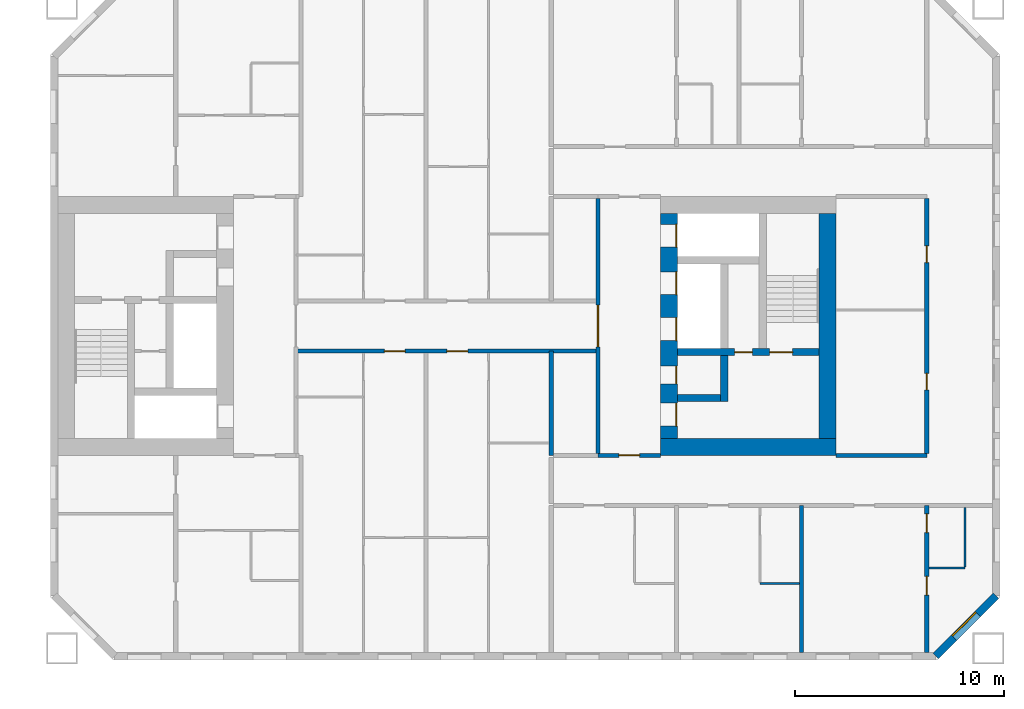
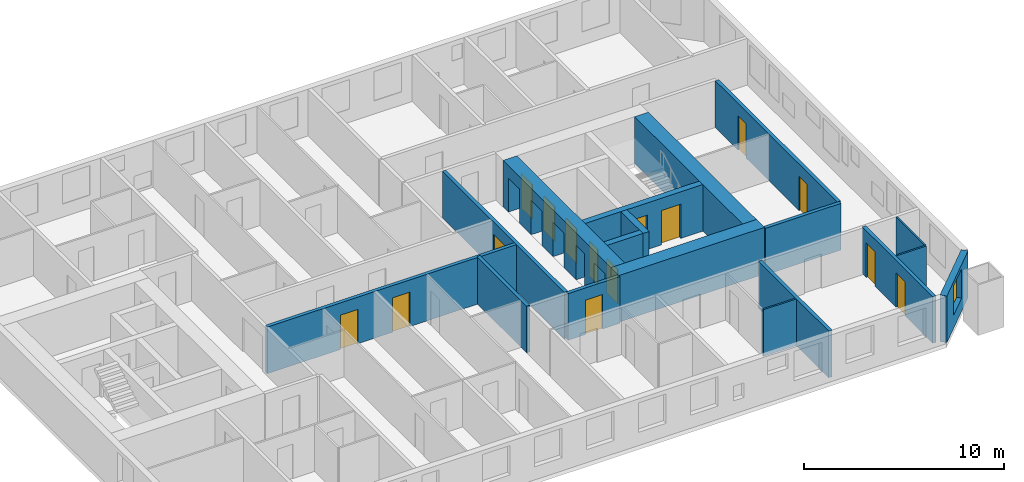
# One storey, part 12 of 17: 18 walls, 15 doors, 1 window, 16 openings.
"""IFC4 building model written with IfcOpenShell, lengths in metres."""

from ifc_helpers import new_model, si_unit, direction, frame, frame_2d, origin, place, context, subcontext, project, spatial, rectangle, extrude, material, layer, layer_set, type_object, element, fill, save


model = new_model("IFC4")

# Units and contexts
model_context = context("Model", 3, precision=1e-05, world=origin(), true_north=direction((0.0, 1.0)))
body_context = subcontext(model_context, "Body", "Model", "MODEL_VIEW")
ifc_project = project(units=[si_unit("LENGTHUNIT", "METRE"), si_unit("AREAUNIT", "SQUARE_METRE"), si_unit("VOLUMEUNIT", "CUBIC_METRE"), si_unit("PLANEANGLEUNIT", "RADIAN"), si_unit("MASSUNIT", "GRAM", prefix="KILO")], contexts=[model_context])

# Site, building, storey
site_placement = place(None, origin())
site = spatial("IfcSite", under=ifc_project, at=site_placement, CompositionType="ELEMENT")
building_placement = place(site_placement, origin())
building = spatial("IfcBuilding", under=site, at=building_placement, Name="Tuart Gate Housing", CompositionType="ELEMENT")
storey_placement = place(building_placement, frame((0.0, 0.0, 53.60009765625)))
storey = spatial("IfcBuildingStorey", under=building, at=storey_placement, Name="L14", CompositionType="ELEMENT", Elevation=53.60009765625)

# Wall, opening, window
ifc_material_1 = material(Name="Brick", Category="masonry")
ifc_layer_1 = layer(ifc_material_1, 0.360107421875)
ifc_layer_set_1 = layer_set([ifc_layer_1], Name="Brick pier and spandrel wall 360")
wall_type_1 = type_object("IfcWallType", Name="Brick pier and spandrel wall 360", PredefinedType="STANDARD", material=ifc_layer_set_1)
wall_1_placement = place(storey_placement, frame((173.42529296875, 54.179931640625, 0.0), z_axis=(0.0, 0.0, 1.0), x_axis=(0.707106781187, 0.707106781187, 0.0)))
wall_1 = element("IfcWall", 1, at=wall_1_placement, inside=storey, type_object=wall_type_1, Name="External wall B-SE L14", PredefinedType="STANDARD", context=body_context, shape_type="SweptSolid", body=[
    extrude(rectangle(XDim=4.09375, YDim=0.360107421875, at=frame_2d((2.046875, 0.0))), origin(), (0.0, 0.0, 1.0), 2.849853515625),
])
opening_1_placement = place(wall_1_placement, frame((1.2470703125, 0.0, 0.800048828125)))
opening_1 = element("IfcOpeningElement", 2, at=opening_1_placement, cuts=wall_1, Name="Opening W1", PredefinedType="OPENING", context=body_context, shape_type="SweptSolid", body=[
    extrude(rectangle(XDim=1.60009765625, YDim=1.800048828125, at=frame_2d((0.800048828125, 0.89990234375))), frame((0.0, 0.18994140625, 0.0), z_axis=(0.0, -1.0, 0.0), x_axis=(1.0, 0.0, 0.0)), (0.0, 0.0, 1.0), 0.380126953125),
])
ifc_material_2 = material(Name="Aluminium frame with clear glass", Category="aluminium")
window_type = type_object("IfcWindowType", Name="Punched window 1600 x 1800", PartitioningType="SINGLE_PANEL", PredefinedType="WINDOW", material=ifc_material_2)
window_placement = place(opening_1_placement, origin())
window = element("IfcWindow", 3, at=window_placement, inside=storey, type_object=window_type, Name="Window W1", OverallHeight=1.800048828125, OverallWidth=1.60009765625, PartitioningType="SINGLE_PANEL", PredefinedType="WINDOW", context=body_context, shape_type="SweptSolid", body=[
    extrude(rectangle(XDim=1.60009765625, YDim=1.800048828125, at=frame_2d((0.800048828125, 0.89990234375))), frame((0.0, 0.150146484375, 0.0), z_axis=(0.0, -1.0, 0.0), x_axis=(1.0, 0.0, 0.0)), (0.0, 0.0, 1.0), 0.06005859375),
])
fill(opening_1, window)

# Wall, openings, doors
ifc_material_3 = material(Name="Concrete C60", Category="concrete")
ifc_layer_2 = layer(ifc_material_3, 0.35009765625)
ifc_layer_set_2 = layer_set([ifc_layer_2], Name="Core wall 350 C60")
wall_type_2 = type_object("IfcWallType", Name="Core wall 350 C60", PredefinedType="SHEAR", material=ifc_layer_set_2)
wall_2_placement = place(storey_placement, frame((161.0400390625, 68.75, 0.0), z_axis=(0.0, 0.0, 1.0), x_axis=(1.0, 0.0, 0.0)))
wall_2 = element("IfcWall", 4, at=wall_2_placement, inside=storey, type_object=wall_type_2, Name="Core wall BK.2", PredefinedType="SHEAR", context=body_context, shape_type="SweptSolid", body=[
    extrude(rectangle(XDim=6.800048828125, YDim=0.35009765625, at=frame_2d((3.39990234375, 0.0))), origin(), (0.0, 0.0, 1.0), 2.849853515625),
])
opening_2_placement = place(wall_2_placement, frame((4.425048828125, 0.0, 0.0)))
opening_2 = element("IfcOpeningElement", 5, at=opening_2_placement, cuts=wall_2, Name="Opening D813", PredefinedType="OPENING", context=body_context, shape_type="SweptSolid", body=[
    extrude(rectangle(XDim=1.10009765625, YDim=2.10009765625, at=frame_2d((0.550048828125, 1.050048828125))), frame((0.0, 0.18505859375, 0.0), z_axis=(0.0, -1.0, 0.0), x_axis=(1.0, 0.0, 0.0)), (0.0, 0.0, 1.0), 0.3701171875),
])
opening_3_placement = place(wall_2_placement, frame((2.75, 0.0, 0.0)))
opening_3 = element("IfcOpeningElement", 6, at=opening_3_placement, cuts=wall_2, Name="Opening D812", PredefinedType="OPENING", context=body_context, shape_type="SweptSolid", body=[
    extrude(rectangle(XDim=0.85009765625, YDim=2.10009765625, at=frame_2d((0.425048828125, 1.050048828125))), frame((0.0, 0.18505859375, 0.0), z_axis=(0.0, -1.0, 0.0), x_axis=(1.0, 0.0, 0.0)), (0.0, 0.0, 1.0), 0.3701171875),
])
ifc_material_4 = material(Name="Steel fire door", Category="steel")
door_type_1 = type_object("IfcDoorType", Name="Riser door 850 x 2100", OperationType="SINGLE_SWING_LEFT", PredefinedType="DOOR", material=ifc_material_4)
door_1_placement = place(opening_3_placement, origin())
door_1 = element("IfcDoor", 7, at=door_1_placement, inside=storey, type_object=door_type_1, Name="Service room door BK.W1", OperationType="SINGLE_SWING_LEFT", OverallHeight=2.10009765625, OverallWidth=0.85009765625, PredefinedType="DOOR", context=body_context, shape_type="SweptSolid", body=[
    extrude(rectangle(XDim=0.85009765625, YDim=2.10009765625, at=frame_2d((0.425048828125, 1.050048828125))), frame((0.0, 0.02490234375, 0.0), z_axis=(0.0, -1.0, 0.0), x_axis=(1.0, 0.0, 0.0)), (0.0, 0.0, 1.0), 0.050048828125),
])
fill(opening_3, door_1)
ifc_material_5 = material(Name="Steel fire door", Category="steel")
door_type_2 = type_object("IfcDoorType", Name="Stair door 1100 x 2100", OperationType="SINGLE_SWING_LEFT", PredefinedType="DOOR", material=ifc_material_5)
door_2_placement = place(opening_2_placement, origin())
door_2 = element("IfcDoor", 8, at=door_2_placement, inside=storey, type_object=door_type_2, Name="Stair door BK.SD", OperationType="SINGLE_SWING_LEFT", OverallHeight=2.10009765625, OverallWidth=1.10009765625, PredefinedType="DOOR", context=body_context, shape_type="SweptSolid", body=[
    extrude(rectangle(XDim=1.10009765625, YDim=2.10009765625, at=frame_2d((0.550048828125, 1.050048828125))), frame((0.0, 0.02490234375, 0.0), z_axis=(0.0, -1.0, 0.0), x_axis=(1.0, 0.0, 0.0)), (0.0, 0.0, 1.0), 0.050048828125),
])
fill(opening_2, door_2)

# Walls
wall_3_placement = place(storey_placement, frame((161.0400390625, 66.550048828125, 0.0), z_axis=(0.0, 0.0, 1.0), x_axis=(1.0, 0.0, 0.0)))
element("IfcWall", 9, at=wall_3_placement, inside=storey, type_object=wall_type_2, Name="Core wall BK.3", PredefinedType="SHEAR", context=body_context, shape_type="SweptSolid", body=[
    extrude(rectangle(XDim=2.074951171875, YDim=0.35009765625, at=frame_2d((1.03759765625, 0.0))), origin(), (0.0, 0.0, 1.0), 2.849853515625),
])
wall_4_placement = place(storey_placement, frame((163.2900390625, 68.574951171875, 0.0), z_axis=(0.0, 0.0, 1.0), x_axis=(0.0, -1.0, 0.0)))
element("IfcWall", 10, at=wall_4_placement, inside=storey, type_object=wall_type_2, Name="Core wall BK.5", PredefinedType="SHEAR", context=body_context, shape_type="SweptSolid", body=[
    extrude(rectangle(XDim=2.199951171875, YDim=0.35009765625, at=frame_2d((1.10009765625, 0.0))), origin(), (0.0, 0.0, 1.0), 2.849853515625),
])

# Wall, openings, doors
ifc_material_6 = material(Name="Concrete C60", Category="concrete")
ifc_layer_3 = layer(ifc_material_6, 0.800048828125)
ifc_layer_set_3 = layer_set([ifc_layer_3], Name="Core wall 800 C60")
wall_type_3 = type_object("IfcWallType", Name="Core wall 800 C60", PredefinedType="SHEAR", material=ifc_layer_set_3)
wall_5_placement = place(storey_placement, frame((160.639892578125, 75.39990234375, 0.0), z_axis=(0.0, 0.0, 1.0), x_axis=(0.0, -1.0, 0.0)))
wall_5 = element("IfcWall", 11, at=wall_5_placement, inside=storey, type_object=wall_type_3, Name="Core wall BK front", PredefinedType="SHEAR", context=body_context, shape_type="SweptSolid", body=[
    extrude(rectangle(XDim=10.7998046875, YDim=0.800048828125, at=frame_2d((5.39990234375, 0.0))), origin(), (0.0, 0.0, 1.0), 2.849853515625),
])
opening_4_placement = place(wall_5_placement, frame((0.52490234375, 0.0, 0.0)))
opening_4 = element("IfcOpeningElement", 12, at=opening_4_placement, cuts=wall_5, Name="Opening LD-FB2", PredefinedType="OPENING", context=body_context, shape_type="SweptSolid", body=[
    extrude(rectangle(XDim=1.10009765625, YDim=2.10009765625, at=frame_2d((0.550048828125, 1.050048828125))), frame((0.0, 0.409912109375, 0.0), z_axis=(0.0, -1.0, 0.0), x_axis=(1.0, 0.0, 0.0)), (0.0, 0.0, 1.0), 0.820068359375),
])
opening_5_placement = place(wall_5_placement, frame((2.800048828125, 0.0, 0.0)))
opening_5 = element("IfcOpeningElement", 13, at=opening_5_placement, cuts=wall_5, Name="Opening LD-LB3", PredefinedType="OPENING", context=body_context, shape_type="SweptSolid", body=[
    extrude(rectangle(XDim=1.10009765625, YDim=2.10009765625, at=frame_2d((0.550048828125, 1.050048828125))), frame((0.0, 0.409912109375, 0.0), z_axis=(0.0, -1.0, 0.0), x_axis=(1.0, 0.0, 0.0)), (0.0, 0.0, 1.0), 0.820068359375),
])
opening_6_placement = place(wall_5_placement, frame((5.0, 0.0, 0.0)))
opening_6 = element("IfcOpeningElement", 14, at=opening_6_placement, cuts=wall_5, Name="Opening LD-LB4", PredefinedType="OPENING", context=body_context, shape_type="SweptSolid", body=[
    extrude(rectangle(XDim=1.10009765625, YDim=2.10009765625, at=frame_2d((0.550048828125, 1.050048828125))), frame((0.0, 0.409912109375, 0.0), z_axis=(0.0, -1.0, 0.0), x_axis=(1.0, 0.0, 0.0)), (0.0, 0.0, 1.0), 0.820068359375),
])
opening_7_placement = place(wall_5_placement, frame((9.10009765625, 0.0, 0.0)))
opening_7 = element("IfcOpeningElement", 15, at=opening_7_placement, cuts=wall_5, Name="Opening D805", PredefinedType="OPENING", context=body_context, shape_type="SweptSolid", body=[
    extrude(rectangle(XDim=1.10009765625, YDim=2.10009765625, at=frame_2d((0.550048828125, 1.050048828125))), frame((0.0, 0.409912109375, 0.0), z_axis=(0.0, -1.0, 0.0), x_axis=(1.0, 0.0, 0.0)), (0.0, 0.0, 1.0), 0.820068359375),
])
opening_8_placement = place(wall_5_placement, frame((7.324951171875, 0.0, 0.0)))
opening_8 = element("IfcOpeningElement", 16, at=opening_8_placement, cuts=wall_5, Name="Opening D806", PredefinedType="OPENING", context=body_context, shape_type="SweptSolid", body=[
    extrude(rectangle(XDim=0.85009765625, YDim=2.10009765625, at=frame_2d((0.425048828125, 1.050048828125))), frame((0.0, 0.409912109375, 0.0), z_axis=(0.0, -1.0, 0.0), x_axis=(1.0, 0.0, 0.0)), (0.0, 0.0, 1.0), 0.820068359375),
])
ifc_material_7 = material(Name="Stainless steel", Category="steel")
door_type_3 = type_object("IfcDoorType", Name="Landing door 1100 x 2100", OperationType="DOUBLE_DOOR_SLIDING", PredefinedType="DOOR", material=ifc_material_7)
door_3_placement = place(opening_4_placement, origin())
door_3 = element("IfcDoor", 17, at=door_3_placement, inside=storey, type_object=door_type_3, Name="Lift landing door FB2", OperationType="DOUBLE_DOOR_SLIDING", OverallHeight=2.10009765625, OverallWidth=1.10009765625, PredefinedType="DOOR", context=body_context, shape_type="SweptSolid", body=[
    extrude(rectangle(XDim=1.10009765625, YDim=2.10009765625, at=frame_2d((0.550048828125, 1.050048828125))), frame((0.0, 0.38525390625, 0.0), z_axis=(0.0, -1.0, 0.0), x_axis=(1.0, 0.0, 0.0)), (0.0, 0.0, 1.0), 0.050048828125),
])
fill(opening_4, door_3)
door_4_placement = place(opening_5_placement, origin())
door_4 = element("IfcDoor", 18, at=door_4_placement, inside=storey, type_object=door_type_3, Name="Lift landing door LB3", OperationType="DOUBLE_DOOR_SLIDING", OverallHeight=2.10009765625, OverallWidth=1.10009765625, PredefinedType="DOOR", context=body_context, shape_type="SweptSolid", body=[
    extrude(rectangle(XDim=1.10009765625, YDim=2.10009765625, at=frame_2d((0.550048828125, 1.050048828125))), frame((0.0, 0.38525390625, 0.0), z_axis=(0.0, -1.0, 0.0), x_axis=(1.0, 0.0, 0.0)), (0.0, 0.0, 1.0), 0.050048828125),
])
fill(opening_5, door_4)
door_5_placement = place(opening_6_placement, origin())
door_5 = element("IfcDoor", 19, at=door_5_placement, inside=storey, type_object=door_type_3, Name="Lift landing door LB4", OperationType="DOUBLE_DOOR_SLIDING", OverallHeight=2.10009765625, OverallWidth=1.10009765625, PredefinedType="DOOR", context=body_context, shape_type="SweptSolid", body=[
    extrude(rectangle(XDim=1.10009765625, YDim=2.10009765625, at=frame_2d((0.550048828125, 1.050048828125))), frame((0.0, 0.38525390625, 0.0), z_axis=(0.0, -1.0, 0.0), x_axis=(1.0, 0.0, 0.0)), (0.0, 0.0, 1.0), 0.050048828125),
])
fill(opening_6, door_5)
ifc_material_8 = material(Name="Steel fire door", Category="steel")
door_type_4 = type_object("IfcDoorType", Name="Lobby door 1100 x 2100", OperationType="SINGLE_SWING_LEFT", PredefinedType="DOOR", material=ifc_material_8)
door_6_placement = place(opening_7_placement, origin())
door_6 = element("IfcDoor", 20, at=door_6_placement, inside=storey, type_object=door_type_4, Name="Lobby entry door BK.EN", OperationType="SINGLE_SWING_LEFT", OverallHeight=2.10009765625, OverallWidth=1.10009765625, PredefinedType="DOOR", context=body_context, shape_type="SweptSolid", body=[
    extrude(rectangle(XDim=1.10009765625, YDim=2.10009765625, at=frame_2d((0.550048828125, 1.050048828125))), frame((0.0, 0.38525390625, 0.0), z_axis=(0.0, -1.0, 0.0), x_axis=(1.0, 0.0, 0.0)), (0.0, 0.0, 1.0), 0.050048828125),
])
fill(opening_7, door_6)
ifc_material_9 = material(Name="Steel fire door", Category="steel")
door_type_5 = type_object("IfcDoorType", Name="Service door 850 x 2100", OperationType="SINGLE_SWING_LEFT", PredefinedType="DOOR", material=ifc_material_9)
door_7_placement = place(opening_8_placement, origin())
door_7 = element("IfcDoor", 21, at=door_7_placement, inside=storey, type_object=door_type_5, Name="Service room door BK.T1", OperationType="SINGLE_SWING_LEFT", OverallHeight=2.10009765625, OverallWidth=0.85009765625, PredefinedType="DOOR", context=body_context, shape_type="SweptSolid", body=[
    extrude(rectangle(XDim=0.85009765625, YDim=2.10009765625, at=frame_2d((0.425048828125, 1.050048828125))), frame((0.0, 0.38525390625, 0.0), z_axis=(0.0, -1.0, 0.0), x_axis=(1.0, 0.0, 0.0)), (0.0, 0.0, 1.0), 0.050048828125),
])
fill(opening_8, door_7)

# Walls
wall_6_placement = place(storey_placement, frame((168.239990234375, 75.39990234375, 0.0), z_axis=(0.0, 0.0, 1.0), x_axis=(0.0, -1.0, 0.0)))
element("IfcWall", 22, at=wall_6_placement, inside=storey, type_object=wall_type_3, Name="Core wall BK back", PredefinedType="SHEAR", context=body_context, shape_type="SweptSolid", body=[
    extrude(rectangle(XDim=10.7998046875, YDim=0.800048828125, at=frame_2d((5.39990234375, 0.0))), origin(), (0.0, 0.0, 1.0), 2.849853515625),
])
wall_7_placement = place(storey_placement, frame((160.239990234375, 64.199951171875, 0.0), z_axis=(0.0, 0.0, 1.0), x_axis=(1.0, 0.0, 0.0)))
element("IfcWall", 23, at=wall_7_placement, inside=storey, type_object=wall_type_3, Name="Core wall BK north", PredefinedType="SHEAR", context=body_context, shape_type="SweptSolid", body=[
    extrude(rectangle(XDim=8.39990234375, YDim=0.800048828125, at=frame_2d((4.199951171875, 0.0))), origin(), (0.0, 0.0, 1.0), 2.849853515625),
])
ifc_material_10 = material(Name="Concrete masonry 15 MPa", Category="masonry")
ifc_layer_4 = layer(ifc_material_10, 0.199951171875)
ifc_layer_set_4 = layer_set([ifc_layer_4], Name="Corridor wall masonry 200")
wall_type_4 = type_object("IfcWallType", Name="Corridor wall masonry 200", PredefinedType="PARTITIONING", material=ifc_layer_set_4)
wall_8_placement = place(storey_placement, frame((168.639892578125, 63.800048828125, 0.0), z_axis=(0.0, 0.0, 1.0), x_axis=(1.0, 0.0, 0.0)))
element("IfcWall", 24, at=wall_8_placement, inside=storey, type_object=wall_type_4, Name="Corridor wall masonry 200", PredefinedType="PARTITIONING", context=body_context, shape_type="SweptSolid", body=[
    extrude(rectangle(XDim=4.360107421875, YDim=0.199951171875, at=frame_2d((2.18017578125, 0.0))), origin(), (0.0, 0.0, 1.0), 2.849853515625),
])

# Wall, openings, doors
wall_9_placement = place(storey_placement, frame((142.760009765625, 68.800048828125, 0.0), z_axis=(0.0, 0.0, 1.0), x_axis=(1.0, 0.0, 0.0)))
wall_9 = element("IfcWall", 25, at=wall_9_placement, inside=storey, type_object=wall_type_4, Name="Corridor wall masonry 200", PredefinedType="PARTITIONING", context=body_context, shape_type="SweptSolid", body=[
    extrude(rectangle(XDim=14.47998046875, YDim=0.199951171875, at=frame_2d((7.239990234375, 0.0))), origin(), (0.0, 0.0, 1.0), 2.849853515625),
])
opening_9_placement = place(wall_9_placement, frame((4.239990234375, 0.0, 0.0)))
opening_9 = element("IfcOpeningElement", 26, at=opening_9_placement, cuts=wall_9, Name="Opening D810", PredefinedType="OPENING", context=body_context, shape_type="SweptSolid", body=[
    extrude(rectangle(XDim=1.0, YDim=2.10009765625, at=frame_2d((0.5, 1.050048828125))), frame((0.0, 0.10986328125, 0.0), z_axis=(0.0, -1.0, 0.0), x_axis=(1.0, 0.0, 0.0)), (0.0, 0.0, 1.0), 0.219970703125),
])
opening_10_placement = place(wall_9_placement, frame((7.239990234375, 0.0, 0.0)))
opening_10 = element("IfcOpeningElement", 27, at=opening_10_placement, cuts=wall_9, Name="Opening D811", PredefinedType="OPENING", context=body_context, shape_type="SweptSolid", body=[
    extrude(rectangle(XDim=1.0, YDim=2.10009765625, at=frame_2d((0.5, 1.050048828125))), frame((0.0, 0.10986328125, 0.0), z_axis=(0.0, -1.0, 0.0), x_axis=(1.0, 0.0, 0.0)), (0.0, 0.0, 1.0), 0.219970703125),
])
ifc_material_11 = material(Name="Timber door leaf in steel frame", Category="steel")
door_type_6 = type_object("IfcDoorType", Name="Flat entrance door 1000 RH", OperationType="SINGLE_SWING_RIGHT", PredefinedType="DOOR", material=ifc_material_11)
door_8_placement = place(opening_9_placement, frame((1.0, 0.0, 0.0), z_axis=(0.0, 0.0, 1.0), x_axis=(-1.0, 0.0, 0.0)))
door_8 = element("IfcDoor", 28, at=door_8_placement, inside=storey, type_object=door_type_6, Name="Flat entrance door", OperationType="SINGLE_SWING_RIGHT", OverallHeight=2.10009765625, OverallWidth=1.0, PredefinedType="DOOR", context=body_context, shape_type="SweptSolid", body=[
    extrude(rectangle(XDim=1.0, YDim=2.10009765625, at=frame_2d((0.5, 1.050048828125))), frame((0.0, 0.025146484375, 0.0), z_axis=(0.0, -1.0, 0.0), x_axis=(1.0, 0.0, 0.0)), (0.0, 0.0, 1.0), 0.050048828125),
])
fill(opening_9, door_8)
door_9_placement = place(opening_10_placement, frame((1.0, 0.0, 0.0), z_axis=(0.0, 0.0, 1.0), x_axis=(-1.0, 0.0, 0.0)))
door_9 = element("IfcDoor", 29, at=door_9_placement, inside=storey, type_object=door_type_6, Name="Flat entrance door", OperationType="SINGLE_SWING_RIGHT", OverallHeight=2.10009765625, OverallWidth=1.0, PredefinedType="DOOR", context=body_context, shape_type="SweptSolid", body=[
    extrude(rectangle(XDim=1.0, YDim=2.10009765625, at=frame_2d((0.5, 1.050048828125))), frame((0.0, 0.025146484375, 0.0), z_axis=(0.0, -1.0, 0.0), x_axis=(1.0, 0.0, 0.0)), (0.0, 0.0, 1.0), 0.050048828125),
])
fill(opening_10, door_9)

wall_10_placement = place(storey_placement, frame((173.0, 63.89990234375, 0.0), z_axis=(0.0, 0.0, 1.0), x_axis=(0.0, 1.0, 0.0)))
wall_10 = element("IfcWall", 30, at=wall_10_placement, inside=storey, type_object=wall_type_4, Name="Corridor wall masonry 200", PredefinedType="PARTITIONING", context=body_context, shape_type="SweptSolid", body=[
    extrude(rectangle(XDim=12.2001953125, YDim=0.199951171875, at=frame_2d((6.10009765625, 0.0))), origin(), (0.0, 0.0, 1.0), 2.849853515625),
])
opening_11_placement = place(wall_10_placement, frame((3.034912109375, 0.0, 0.0)))
opening_11 = element("IfcOpeningElement", 31, at=opening_11_placement, cuts=wall_10, Name="Opening D807", PredefinedType="OPENING", context=body_context, shape_type="SweptSolid", body=[
    extrude(rectangle(XDim=0.800048828125, YDim=2.10009765625, at=frame_2d((0.39990234375, 1.050048828125))), frame((0.0, 0.10986328125, 0.0), z_axis=(0.0, -1.0, 0.0), x_axis=(1.0, 0.0, 0.0)), (0.0, 0.0, 1.0), 0.219970703125),
])
opening_12_placement = place(wall_10_placement, frame((9.135009765625, 0.0, 0.0)))
opening_12 = element("IfcOpeningElement", 32, at=opening_12_placement, cuts=wall_10, Name="Opening D808", PredefinedType="OPENING", context=body_context, shape_type="SweptSolid", body=[
    extrude(rectangle(XDim=0.800048828125, YDim=2.10009765625, at=frame_2d((0.39990234375, 1.050048828125))), frame((0.0, 0.10986328125, 0.0), z_axis=(0.0, -1.0, 0.0), x_axis=(1.0, 0.0, 0.0)), (0.0, 0.0, 1.0), 0.219970703125),
])
ifc_material_12 = material(Name="Timber door leaf in steel frame", Category="steel")
door_type_7 = type_object("IfcDoorType", Name="Store door 800", OperationType="SINGLE_SWING_LEFT", PredefinedType="DOOR", material=ifc_material_12)
door_10_placement = place(opening_12_placement, origin())
door_10 = element("IfcDoor", 33, at=door_10_placement, inside=storey, type_object=door_type_7, Name="Store door", OperationType="SINGLE_SWING_LEFT", OverallHeight=2.10009765625, OverallWidth=0.800048828125, PredefinedType="DOOR", context=body_context, shape_type="SweptSolid", body=[
    extrude(rectangle(XDim=0.800048828125, YDim=2.10009765625, at=frame_2d((0.39990234375, 1.050048828125))), frame((0.0, 0.02490234375, 0.0), z_axis=(0.0, -1.0, 0.0), x_axis=(1.0, 0.0, 0.0)), (0.0, 0.0, 1.0), 0.050048828125),
])
fill(opening_12, door_10)
ifc_material_13 = material(Name="Timber door leaf in steel frame", Category="steel")
door_type_8 = type_object("IfcDoorType", Name="Store door 800 RH", OperationType="SINGLE_SWING_RIGHT", PredefinedType="DOOR", material=ifc_material_13)
door_11_placement = place(opening_11_placement, origin())
door_11 = element("IfcDoor", 34, at=door_11_placement, inside=storey, type_object=door_type_8, Name="Store door", OperationType="SINGLE_SWING_RIGHT", OverallHeight=2.10009765625, OverallWidth=0.800048828125, PredefinedType="DOOR", context=body_context, shape_type="SweptSolid", body=[
    extrude(rectangle(XDim=0.800048828125, YDim=2.10009765625, at=frame_2d((0.39990234375, 1.050048828125))), frame((0.0, 0.02490234375, 0.0), z_axis=(0.0, -1.0, 0.0), x_axis=(1.0, 0.0, 0.0)), (0.0, 0.0, 1.0), 0.050048828125),
])
fill(opening_11, door_11)

# Wall, opening, door
ifc_material_14 = material(Name="Concrete masonry 15 MPa", Category="masonry")
ifc_layer_5 = layer(ifc_material_14, 0.199951171875)
ifc_layer_set_5 = layer_set([ifc_layer_5], Name="Enclosure wall masonry 200")
wall_type_5 = type_object("IfcWallType", Name="Enclosure wall masonry 200", PredefinedType="PARTITIONING", material=ifc_layer_set_5)
wall_11_placement = place(storey_placement, frame((157.239990234375, 63.800048828125, 0.0), z_axis=(0.0, 0.0, 1.0), x_axis=(1.0, 0.0, 0.0)))
wall_11 = element("IfcWall", 35, at=wall_11_placement, inside=storey, type_object=wall_type_5, Name="Enclosure wall masonry 200", PredefinedType="PARTITIONING", context=body_context, shape_type="SweptSolid", body=[
    extrude(rectangle(XDim=3.0, YDim=0.199951171875, at=frame_2d((1.5, 0.0))), origin(), (0.0, 0.0, 1.0), 2.849853515625),
])
opening_13_placement = place(wall_11_placement, frame((1.0, 0.0, 0.0)))
opening_13 = element("IfcOpeningElement", 36, at=opening_13_placement, cuts=wall_11, Name="Opening D815", PredefinedType="OPENING", context=body_context, shape_type="SweptSolid", body=[
    extrude(rectangle(XDim=1.0, YDim=2.10009765625, at=frame_2d((0.5, 1.050048828125))), frame((0.0, 0.10986328125, 0.0), z_axis=(0.0, -1.0, 0.0), x_axis=(1.0, 0.0, 0.0)), (0.0, 0.0, 1.0), 0.219970703125),
])
ifc_material_15 = material(Name="Timber door leaf in steel frame", Category="steel")
door_type_9 = type_object("IfcDoorType", Name="Fire door 1000 RH", OperationType="SINGLE_SWING_RIGHT", PredefinedType="DOOR", material=ifc_material_15)
door_12_placement = place(opening_13_placement, frame((1.0, 0.0, 0.0), z_axis=(0.0, 0.0, 1.0), x_axis=(-1.0, 0.0, 0.0)))
door_12 = element("IfcDoor", 37, at=door_12_placement, inside=storey, type_object=door_type_9, Name="Fire door", OperationType="SINGLE_SWING_RIGHT", OverallHeight=2.10009765625, OverallWidth=1.0, PredefinedType="DOOR", context=body_context, shape_type="SweptSolid", body=[
    extrude(rectangle(XDim=1.0, YDim=2.10009765625, at=frame_2d((0.5, 1.050048828125))), frame((0.0, 0.025146484375, 0.0), z_axis=(0.0, -1.0, 0.0), x_axis=(1.0, 0.0, 0.0)), (0.0, 0.0, 1.0), 0.050048828125),
])
fill(opening_13, door_12)

ifc_material_16 = material(Name="Plasterboard partition")
ifc_layer_6 = layer(ifc_material_16, 0.199951171875)
ifc_layer_set_6 = layer_set([ifc_layer_6], Name="Lobby wall 200")
wall_type_6 = type_object("IfcWallType", Name="Lobby wall 200", PredefinedType="PARTITIONING", material=ifc_layer_set_6)
wall_12_placement = place(storey_placement, frame((157.239990234375, 63.89990234375, 0.0), z_axis=(0.0, 0.0, 1.0), x_axis=(0.0, 1.0, 0.0)))
wall_12 = element("IfcWall", 38, at=wall_12_placement, inside=storey, type_object=wall_type_6, Name="Lift lobby wall BK", PredefinedType="PARTITIONING", context=body_context, shape_type="SweptSolid", body=[
    extrude(rectangle(XDim=12.2001953125, YDim=0.199951171875, at=frame_2d((6.10009765625, 0.0))), origin(), (0.0, 0.0, 1.0), 2.849853515625),
])
opening_14_placement = place(wall_12_placement, frame((5.10009765625, 0.0, 0.0)))
opening_14 = element("IfcOpeningElement", 39, at=opening_14_placement, cuts=wall_12, Name="Opening D804", PredefinedType="OPENING", context=body_context, shape_type="SweptSolid", body=[
    extrude(rectangle(XDim=2.0, YDim=2.10009765625, at=frame_2d((1.0, 1.050048828125))), frame((0.0, 0.10986328125, 0.0), z_axis=(0.0, -1.0, 0.0), x_axis=(1.0, 0.0, 0.0)), (0.0, 0.0, 1.0), 0.219970703125),
])
ifc_material_17 = material(Name="Steel fire door", Category="steel")
door_type_10 = type_object("IfcDoorType", Name="Smoke door 2000 x 2100", OperationType="DOUBLE_DOOR_SINGLE_SWING", PredefinedType="DOOR", material=ifc_material_17)
door_13_placement = place(opening_14_placement, frame((2.0, 0.0, 0.0), z_axis=(0.0, 0.0, 1.0), x_axis=(-1.0, 0.0, 0.0)))
door_13 = element("IfcDoor", 40, at=door_13_placement, inside=storey, type_object=door_type_10, Name="Lift lobby smoke door BK", OperationType="DOUBLE_DOOR_SINGLE_SWING", OverallHeight=2.10009765625, OverallWidth=2.0, PredefinedType="DOOR", context=body_context, shape_type="SweptSolid", body=[
    extrude(rectangle(XDim=2.0, YDim=2.10009765625, at=frame_2d((1.0, 1.050048828125))), frame((0.0, 0.025146484375, 0.0), z_axis=(0.0, -1.0, 0.0), x_axis=(1.0, 0.0, 0.0)), (0.0, 0.0, 1.0), 0.050048828125),
])
fill(opening_14, door_13)

# Walls
ifc_material_18 = material(Name="Gypsum board on steel studs", Category="steel")
ifc_layer_7 = layer(ifc_material_18, 0.10009765625)
ifc_layer_set_7 = layer_set([ifc_layer_7], Name="Partition 100")
wall_type_7 = type_object("IfcWallType", Name="Partition 100", PredefinedType="PARTITIONING", material=ifc_layer_set_7)
wall_13_placement = place(storey_placement, frame((165.0, 57.64990234375, 0.0), z_axis=(0.0, 0.0, 1.0), x_axis=(1.0, 0.0, 0.0)))
element("IfcWall", 41, at=wall_13_placement, inside=storey, type_object=wall_type_7, Name="Partition 100", PredefinedType="PARTITIONING", context=body_context, shape_type="SweptSolid", body=[
    extrude(rectangle(XDim=1.89990234375, YDim=0.10009765625, at=frame_2d((0.949951171875, 0.0))), origin(), (0.0, 0.0, 1.0), 2.849853515625),
])
wall_14_placement = place(storey_placement, frame((173.10009765625, 58.39990234375, 0.0), z_axis=(0.0, 0.0, 1.0), x_axis=(1.0, 0.0, 0.0)))
element("IfcWall", 42, at=wall_14_placement, inside=storey, type_object=wall_type_7, Name="Partition 100", PredefinedType="PARTITIONING", context=body_context, shape_type="SweptSolid", body=[
    extrude(rectangle(XDim=1.739990234375, YDim=0.10009765625, at=frame_2d((0.8701171875, 0.0))), origin(), (0.0, 0.0, 1.0), 2.849853515625),
])
wall_15_placement = place(storey_placement, frame((174.840087890625, 58.449951171875, 0.0), z_axis=(0.0, 0.0, 1.0), x_axis=(0.0, 1.0, 0.0)))
element("IfcWall", 43, at=wall_15_placement, inside=storey, type_object=wall_type_7, Name="Partition 100", PredefinedType="PARTITIONING", context=body_context, shape_type="SweptSolid", body=[
    extrude(rectangle(XDim=2.85009765625, YDim=0.10009765625, at=frame_2d((1.425048828125, 0.0))), origin(), (0.0, 0.0, 1.0), 2.849853515625),
])
ifc_material_19 = material(Name="Concrete C40", Category="concrete")
ifc_layer_8 = layer(ifc_material_19, 0.199951171875)
ifc_layer_set_8 = layer_set([ifc_layer_8], Name="Party wall concrete C40 200")
wall_type_8 = type_object("IfcWallType", Name="Party wall concrete C40 200", PredefinedType="SOLIDWALL", material=ifc_layer_set_8)
wall_16_placement = place(storey_placement, frame((155.0, 63.800048828125, 0.0), z_axis=(0.0, 0.0, 1.0), x_axis=(0.0, 1.0, 0.0)))
element("IfcWall", 44, at=wall_16_placement, inside=storey, type_object=wall_type_8, Name="Party wall concrete C40 200", PredefinedType="SOLIDWALL", context=body_context, shape_type="SweptSolid", body=[
    extrude(rectangle(XDim=5.0, YDim=0.199951171875, at=frame_2d((2.5, 0.0))), origin(), (0.0, 0.0, 1.0), 2.849853515625),
])
wall_17_placement = place(storey_placement, frame((167.0, 54.360107421875, 0.0), z_axis=(0.0, 0.0, 1.0), x_axis=(0.0, 1.0, 0.0)))
element("IfcWall", 45, at=wall_17_placement, inside=storey, type_object=wall_type_8, Name="Party wall concrete C40 200", PredefinedType="SOLIDWALL", context=body_context, shape_type="SweptSolid", body=[
    extrude(rectangle(XDim=7.039794921875, YDim=0.199951171875, at=frame_2d((3.52001953125, 0.0))), origin(), (0.0, 0.0, 1.0), 2.849853515625),
])

# Wall, openings, doors
wall_18_placement = place(storey_placement, frame((173.0, 54.360107421875, 0.0), z_axis=(0.0, 0.0, 1.0), x_axis=(0.0, 1.0, 0.0)))
wall_18 = element("IfcWall", 46, at=wall_18_placement, inside=storey, type_object=wall_type_8, Name="Party wall concrete C40 200", PredefinedType="SOLIDWALL", context=body_context, shape_type="SweptSolid", body=[
    extrude(rectangle(XDim=7.039794921875, YDim=0.199951171875, at=frame_2d((3.52001953125, 0.0))), origin(), (0.0, 0.0, 1.0), 2.849853515625),
])
opening_15_placement = place(wall_18_placement, frame((2.739990234375, 0.0, 0.0)))
opening_15 = element("IfcOpeningElement", 47, at=opening_15_placement, cuts=wall_18, Name="Opening D832", PredefinedType="OPENING", context=body_context, shape_type="SweptSolid", body=[
    extrude(rectangle(XDim=0.89990234375, YDim=2.10009765625, at=frame_2d((0.449951171875, 1.050048828125))), frame((0.0, 0.10986328125, 0.0), z_axis=(0.0, -1.0, 0.0), x_axis=(1.0, 0.0, 0.0)), (0.0, 0.0, 1.0), 0.219970703125),
])
opening_16_placement = place(wall_18_placement, frame((5.739990234375, 0.0, 0.0)))
opening_16 = element("IfcOpeningElement", 48, at=opening_16_placement, cuts=wall_18, Name="Opening D831", PredefinedType="OPENING", context=body_context, shape_type="SweptSolid", body=[
    extrude(rectangle(XDim=0.89990234375, YDim=2.10009765625, at=frame_2d((0.449951171875, 1.050048828125))), frame((0.0, 0.10986328125, 0.0), z_axis=(0.0, -1.0, 0.0), x_axis=(1.0, 0.0, 0.0)), (0.0, 0.0, 1.0), 0.219970703125),
])
ifc_material_20 = material(Name="Timber door leaf in steel frame", Category="steel")
door_type_11 = type_object("IfcDoorType", Name="Bathroom door 900", OperationType="SINGLE_SWING_LEFT", PredefinedType="DOOR", material=ifc_material_20)
door_14_placement = place(opening_16_placement, frame((0.89990234375, 0.0, 0.0), z_axis=(0.0, 0.0, 1.0), x_axis=(-1.0, 0.0, 0.0)))
door_14 = element("IfcDoor", 49, at=door_14_placement, inside=storey, type_object=door_type_11, Name="Bathroom door", OperationType="SINGLE_SWING_LEFT", OverallHeight=2.10009765625, OverallWidth=0.89990234375, PredefinedType="DOOR", context=body_context, shape_type="SweptSolid", body=[
    extrude(rectangle(XDim=0.89990234375, YDim=2.10009765625, at=frame_2d((0.449951171875, 1.050048828125))), frame((0.0, 0.025146484375, 0.0), z_axis=(0.0, -1.0, 0.0), x_axis=(1.0, 0.0, 0.0)), (0.0, 0.0, 1.0), 0.050048828125),
])
fill(opening_16, door_14)
ifc_material_21 = material(Name="Timber door leaf in steel frame", Category="steel")
door_type_12 = type_object("IfcDoorType", Name="Internal door 900", OperationType="SINGLE_SWING_LEFT", PredefinedType="DOOR", material=ifc_material_21)
door_15_placement = place(opening_15_placement, frame((0.89990234375, 0.0, 0.0), z_axis=(0.0, 0.0, 1.0), x_axis=(-1.0, 0.0, 0.0)))
door_15 = element("IfcDoor", 50, at=door_15_placement, inside=storey, type_object=door_type_12, Name="Internal door", OperationType="SINGLE_SWING_LEFT", OverallHeight=2.10009765625, OverallWidth=0.89990234375, PredefinedType="DOOR", context=body_context, shape_type="SweptSolid", body=[
    extrude(rectangle(XDim=0.89990234375, YDim=2.10009765625, at=frame_2d((0.449951171875, 1.050048828125))), frame((0.0, 0.025146484375, 0.0), z_axis=(0.0, -1.0, 0.0), x_axis=(1.0, 0.0, 0.0)), (0.0, 0.0, 1.0), 0.050048828125),
])
fill(opening_15, door_15)

save(model, "model.ifc")
